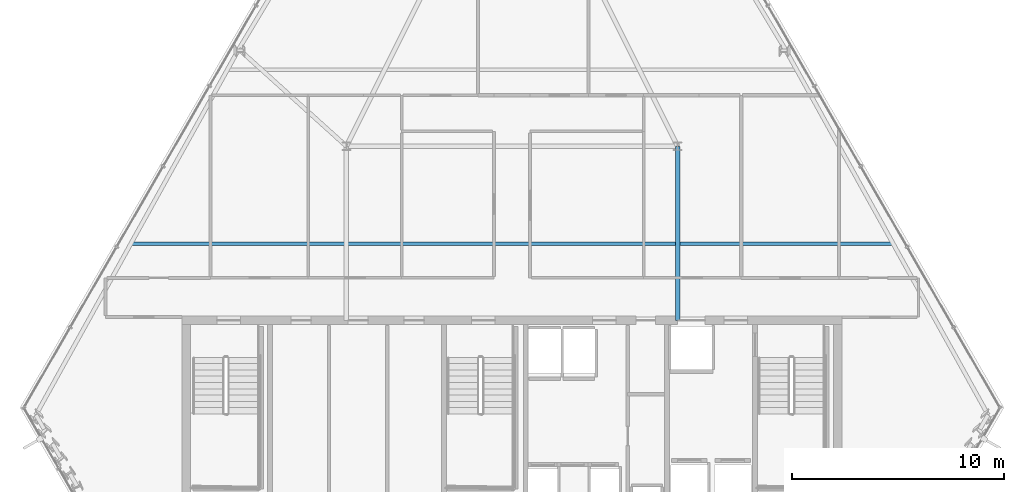
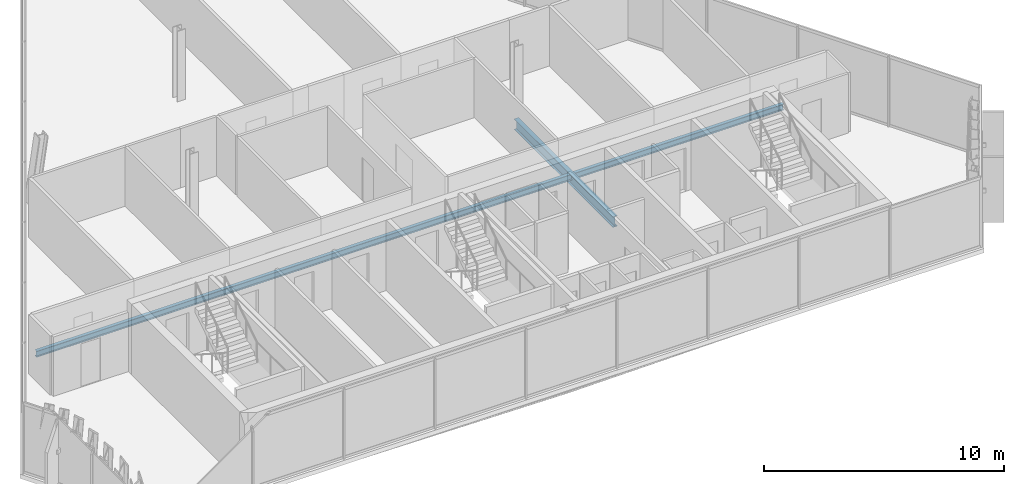
# One storey, part 9 of 29: 2 beams.
"""IFC4 building model written with IfcOpenShell, lengths in metres."""

import ifcopenshell
import ifcopenshell.guid

model = None  # the IFC model being written
_history = None  # IfcOwnerHistory: only IFC2X3 demands one
_inside = {}  # id of a spatial element -> (the spatial element, [elements in it])
_under = {}  # id of a project, library or spatial element -> (it, [spatial elements below it])
_declared = {}  # id of a project -> (the project, [libraries it declares])
_typed = {}  # id of a type object -> (the type object, [elements of that type])
_made_of = {}  # id of a material, layer set ... -> (it, [elements and type objects made of it])


def new_model(schema):
    """Start an empty IFC model of exactly this schema.

    Asked for "IFC4X3", IfcOpenShell would pick the latest addendum, in which some entities
    have other attributes; the version numbers below select the first issue.
    IFC2X3 requires an IfcOwnerHistory on every rooted entity: one is made here for all.
    """
    global model, _history
    if schema == "IFC4X3":
        model = ifcopenshell.file(schema_version=(4, 3, 0, 0))
    else:
        model = ifcopenshell.file(schema=schema)
    _inside.clear()
    _under.clear()
    _declared.clear()
    _typed.clear()
    _made_of.clear()
    _history = None
    if model.schema == "IFC2X3":
        org = make("IfcOrganization", Name="unknown")
        user = make(
            "IfcPersonAndOrganization",
            ThePerson=make("IfcPerson", FamilyName="unknown"),
            TheOrganization=org,
        )
        app = make(
            "IfcApplication",
            ApplicationDeveloper=org,
            Version="unknown",
            ApplicationFullName="unknown",
            ApplicationIdentifier="unknown",
        )
        _history = make(
            "IfcOwnerHistory",
            OwningUser=user,
            OwningApplication=app,
            ChangeAction="ADDED",
            CreationDate=0,
        )
    return model


def make(cls, **values):
    """One entity of the class cls with the attributes given. An attribute that is None is left unset."""
    return model.create_entity(
        cls, **{name: value for name, value in values.items() if value is not None}
    )


def rooted(cls, **values):
    """An entity with a GlobalId (a new one), such as an element, a storey or a relation."""
    return make(cls, GlobalId=ifcopenshell.guid.new(), OwnerHistory=_history, **values)


def si_unit(unit_type, name, prefix=None):
    """IfcSIUnit, for example si_unit("LENGTHUNIT", "METRE", prefix="MILLI")."""
    return make("IfcSIUnit", UnitType=unit_type, Prefix=prefix, Name=name)


def assignment(units):
    """IfcUnitAssignment: the units of a project."""
    return None if units is None else make("IfcUnitAssignment", Units=units)


def point(xyz):
    """IfcCartesianPoint."""
    return None if xyz is None else make("IfcCartesianPoint", Coordinates=xyz)


def direction(xyz):
    """IfcDirection."""
    return None if xyz is None else make("IfcDirection", DirectionRatios=xyz)


def frame(location, z_axis=None, x_axis=None):
    """IfcAxis2Placement3D, a coordinate frame: its origin and axes. An axis left out is left unset."""
    return make(
        "IfcAxis2Placement3D",
        Location=point(location),
        Axis=direction(z_axis),
        RefDirection=direction(x_axis),
    )


def frame_2d(location, x_axis=None):
    """IfcAxis2Placement2D, a coordinate frame in the plane: its origin and x axis."""
    return make(
        "IfcAxis2Placement2D", Location=point(location), RefDirection=direction(x_axis)
    )


def origin():
    """The frame at (0, 0, 0) with its axes left unset."""
    return frame((0.0, 0.0, 0.0))


def origin_2d():
    """The frame at (0, 0) in the plane with its x axis left unset."""
    return frame_2d((0.0, 0.0))


def place(relative_to, where):
    """IfcLocalPlacement: puts the frame where relative to a parent placement (None: the world)."""
    return make(
        "IfcLocalPlacement", PlacementRelTo=relative_to, RelativePlacement=where
    )


def context(
    kind, dimensions, precision=None, world=None, true_north=None, identifier=None
):
    """IfcGeometricRepresentationContext, for example the 3D "Model" context."""
    return make(
        "IfcGeometricRepresentationContext",
        ContextIdentifier=identifier,
        ContextType=kind,
        CoordinateSpaceDimension=dimensions,
        Precision=precision,
        WorldCoordinateSystem=world,
        TrueNorth=true_north,
    )


def subcontext(parent, identifier, kind, view, scale=None):
    """IfcGeometricRepresentationSubContext, for example "Body" below "Model"."""
    return make(
        "IfcGeometricRepresentationSubContext",
        ContextIdentifier=identifier,
        ContextType=kind,
        ParentContext=parent,
        TargetScale=scale,
        TargetView=view,
    )


def project(units=None, contexts=None):
    """IfcProject with its units and contexts."""
    return rooted(
        "IfcProject",
        Name="project",
        RepresentationContexts=contexts,
        UnitsInContext=assignment(units),
    )


def spatial(cls, under=None, at=None, **own):
    """A site, building, storey or space (cls), placed at a placement, below another one or the project."""
    s = rooted(cls, ObjectPlacement=at, **own)
    if under is not None:
        _under.setdefault(under.id(), (under, []))[1].append(s)
    return s


def profile(cls, at=None, kind="AREA", **sizes):
    """A parametric profile (cls). Its sizes go by their IFC names, for example OverallWidth=200.0."""
    return make(cls, ProfileType=kind, Position=at, **sizes)


def i_section(**sizes):
    """IfcIShapeProfileDef."""
    return profile("IfcIShapeProfileDef", **sizes)


def extrude(swept, where, along, depth):
    """IfcExtrudedAreaSolid: the profile swept, set in the frame where, extruded along a direction by depth."""
    return make(
        "IfcExtrudedAreaSolid",
        SweptArea=swept,
        Position=where,
        ExtrudedDirection=direction(along),
        Depth=depth,
    )


def shape(context_of_items, identifier, shape_type, items):
    """IfcShapeRepresentation: the items that make up one representation, for example the "Body"."""
    return make(
        "IfcShapeRepresentation",
        ContextOfItems=context_of_items,
        RepresentationIdentifier=identifier,
        RepresentationType=shape_type,
        Items=items,
    )


def material(Name=None, Category=None):
    """IfcMaterial."""
    return make("IfcMaterial", Name=Name, Category=Category)


def material_profile(
    of_material, cross_section, Name=None, Category=None, Priority=None
):
    """IfcMaterialProfile: a cross section and its material."""
    return make(
        "IfcMaterialProfile",
        Name=Name,
        Material=of_material,
        Profile=cross_section,
        Priority=Priority,
        Category=Category,
    )


def profile_set(profiles, Name=None, composite=None):
    """IfcMaterialProfileSet."""
    return make(
        "IfcMaterialProfileSet",
        Name=Name,
        MaterialProfiles=profiles,
        CompositeProfile=composite,
    )


def made_of(thing, what):
    """Note that an element or type object is made of a material, layer set ...; save() writes the relation."""
    if what is not None:
        _made_of.setdefault(what.id(), (what, []))[1].append(thing)
    return thing


def type_object(cls, material=None, **own):
    """A type object (cls), such as IfcWallType, which elements share."""
    return made_of(rooted(cls, **own), material)


def element(
    cls,
    number,
    at=None,
    inside=None,
    cuts=None,
    type_object=None,
    material=None,
    context=None,
    identifier="Body",
    shape_type=None,
    held_by="IfcProductDefinitionShape",
    body=None,
    shapes=None,
    **own,
):
    """One element of the class cls, such as IfcWall. Its Tag is "e" and its number.

    at: its placement. inside: the storey or other place that contains it. cuts: it is an
    opening in that element (IfcRelVoidsElement). A single representation is given by context,
    identifier, shape_type and body (its items); several are given by shapes. held_by: the class
    of the entity that holds the representations. save() writes the other relations.
    """
    e = rooted(cls, Tag="e%d" % number, ObjectPlacement=at, **own)
    if body is not None:
        shapes = [shape(context, identifier, shape_type, body)]
    if shapes is not None:
        e.Representation = make(held_by, Representations=shapes)
    if inside is not None:
        _inside.setdefault(inside.id(), (inside, []))[1].append(e)
    if cuts is not None:
        rooted(
            "IfcRelVoidsElement", RelatingBuildingElement=cuts, RelatedOpeningElement=e
        )
    if type_object is not None:
        _typed.setdefault(type_object.id(), (type_object, []))[1].append(e)
    return made_of(e, material)


def aggregate(whole, parts):
    """IfcRelAggregates: a whole, such as a stair, and the parts it consists of."""
    return rooted("IfcRelAggregates", RelatingObject=whole, RelatedObjects=parts)


def save(model, path):
    """Write the relations noted so far, then the file.

    IfcRelAggregates (storeys below a building ...), IfcRelContainedInSpatialStructure (elements
    in a storey), IfcRelDefinesByType, IfcRelAssociatesMaterial and IfcRelDeclares: one each for
    every whole, place, type object, material and project.
    """
    for whole, parts in _under.values():
        aggregate(whole, parts)
    for where, things in _inside.values():
        rooted(
            "IfcRelContainedInSpatialStructure",
            RelatedElements=things,
            RelatingStructure=where,
        )
    for kind, things in _typed.values():
        rooted("IfcRelDefinesByType", RelatedObjects=things, RelatingType=kind)
    for what, things in _made_of.values():
        rooted("IfcRelAssociatesMaterial", RelatedObjects=things, RelatingMaterial=what)
    for by, libraries in _declared.values():
        rooted("IfcRelDeclares", RelatingContext=by, RelatedDefinitions=libraries)
    model.write(path)


model = new_model("IFC4")

# Units and contexts
model_context = context("Model", 3, precision=1e-05, world=origin(), true_north=direction((0.0, 1.0)))
body_context = subcontext(model_context, "Body", "Model", "MODEL_VIEW")
ifc_project = project(units=[si_unit("LENGTHUNIT", "METRE"), si_unit("AREAUNIT", "SQUARE_METRE"), si_unit("VOLUMEUNIT", "CUBIC_METRE"), si_unit("PLANEANGLEUNIT", "RADIAN"), si_unit("MASSUNIT", "GRAM", prefix="KILO")], contexts=[model_context])

# Site, building, storey
site_placement = place(None, origin())
site = spatial("IfcSite", under=ifc_project, at=site_placement, CompositionType="ELEMENT")
building_placement = place(site_placement, origin())
building = spatial("IfcBuilding", under=site, at=building_placement, Name="Ndaravel Arena Tower", CompositionType="ELEMENT")
storey_placement = place(building_placement, frame((0.0, 0.0, 248.39990234375)))
storey = spatial("IfcBuildingStorey", under=building, at=storey_placement, Name="L60", CompositionType="ELEMENT", Elevation=248.39990234375)

# Beams
ifc_material_1 = material(Name="Steel S355", Category="steel")
ifc_material_profile_1 = material_profile(ifc_material_1, i_section(OverallWidth=0.210693359375, OverallDepth=0.53955078125, WebThickness=0.01171875, FlangeThickness=0.018798828125, FilletRadius=0.0126953125, at=origin_2d()), Name="UB 533x210x109")
ifc_profile_set_1 = profile_set([ifc_material_profile_1], Name="Steel S355")
beam_type_1 = type_object("IfcBeamType", Name="BM-GIRD-UB533", PredefinedType="BEAM", material=ifc_profile_set_1)
beam_1_placement = place(storey_placement, frame((49.800048828125, 14.97998046875, -0.489501953125), z_axis=(0.0, 1.0, 0.0), x_axis=(-1.0, 0.0, 0.0)))
element("IfcBeam", 1, at=beam_1_placement, inside=storey, type_object=beam_type_1, Name="L60 Spine Link Girder SLG-02", PredefinedType="BEAM", context=body_context, shape_type="SweptSolid", body=[
    extrude(i_section(OverallWidth=0.210693359375, OverallDepth=0.53955078125, WebThickness=0.01171875, FlangeThickness=0.018798828125, FilletRadius=0.0126953125, at=origin_2d()), origin(), (0.0, 0.0, 1.0), 8.219970703125),
])
ifc_material_2 = material(Name="Steel S355", Category="steel")
ifc_material_profile_2 = material_profile(ifc_material_2, i_section(OverallWidth=0.165771484375, OverallDepth=0.306640625, WebThickness=0.006591796875, FlangeThickness=0.01171875, FilletRadius=0.0087890625, at=origin_2d()), Name="UB 305x165x46")
ifc_profile_set_2 = profile_set([ifc_material_profile_2], Name="Steel S355")
beam_type_2 = type_object("IfcBeamType", Name="BM-JOIST-UB305", PredefinedType="JOIST", material=ifc_profile_set_2)
beam_2_placement = place(storey_placement, frame((24.037353515625, 18.60009765625, -0.373291015625), z_axis=(1.0, 0.0, 0.0), x_axis=(0.0, 1.0, 0.0)))
element("IfcBeam", 2, at=beam_2_placement, inside=storey, type_object=beam_type_2, Name="L60 Composite Floor Joist FJ-01", PredefinedType="JOIST", context=body_context, shape_type="SweptSolid", body=[
    extrude(i_section(OverallWidth=0.165771484375, OverallDepth=0.306640625, WebThickness=0.006591796875, FlangeThickness=0.01171875, FilletRadius=0.0087890625, at=origin_2d()), origin(), (0.0, 0.0, 1.0), 35.92529296875),
])

save(model, "model.ifc")
